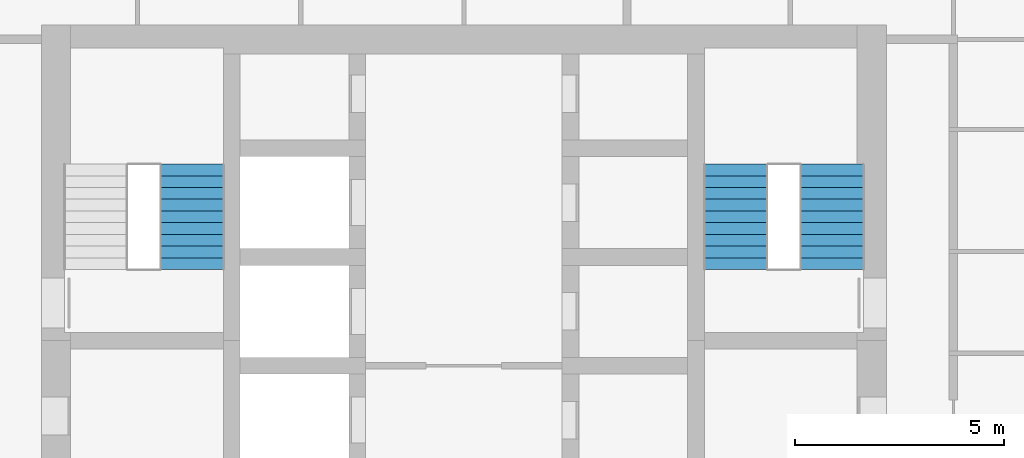
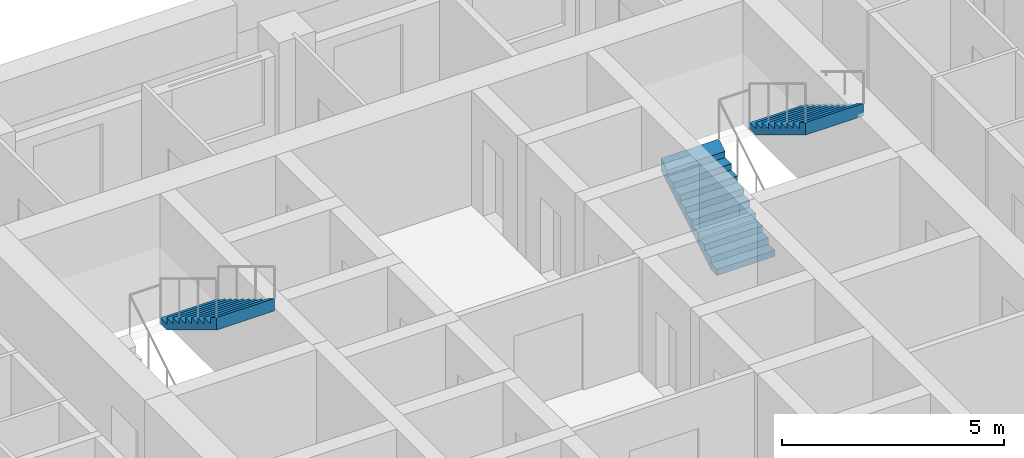
# One storey, part 15 of 17: 3 stair flights, 2 elements without a shape of their own.
"""IFC4 building model written with IfcOpenShell, lengths in metres."""

from ifc_helpers import new_model, si_unit, direction, frame, origin, place, context, subcontext, project, spatial, triangles, material, type_object, element, aggregate, save


model = new_model("IFC4")

# Units and contexts
model_context = context("Model", 3, precision=1e-05, world=origin(), true_north=direction((0.0, 1.0)))
body_context = subcontext(model_context, "Body", "Model", "MODEL_VIEW")
ifc_project = project(units=[si_unit("LENGTHUNIT", "METRE"), si_unit("AREAUNIT", "SQUARE_METRE"), si_unit("VOLUMEUNIT", "CUBIC_METRE"), si_unit("PLANEANGLEUNIT", "RADIAN"), si_unit("MASSUNIT", "GRAM", prefix="KILO")], contexts=[model_context])

# Site, building, storey
site_placement = place(None, origin())
site = spatial("IfcSite", under=ifc_project, at=site_placement, CompositionType="ELEMENT")
building_placement = place(site_placement, origin())
building = spatial("IfcBuilding", under=site, at=building_placement, Name="Ludao Terraces", CompositionType="ELEMENT")
storey_placement = place(building_placement, frame((0.0, 0.0, 88.60009765625)))
storey = spatial("IfcBuildingStorey", under=building, at=storey_placement, Name="L24", CompositionType="ELEMENT", Elevation=88.60009765625)

# Stair, stair flight
ifc_material = material(Name="Concrete C40", Category="concrete")
stair_type = type_object("IfcStairType", Name="INT Stair", PredefinedType="HALF_TURN_STAIR", material=ifc_material)
stair_1_placement = place(storey_placement, origin())
stair_1 = element("IfcStair", 1, at=stair_1_placement, inside=storey, type_object=stair_type, Name="EXIT STAIR 1", PredefinedType="HALF_TURN_STAIR")
stair_flight_type = type_object("IfcStairFlightType", Name="INT Stair flight", PredefinedType="STRAIGHT", material=ifc_material)
stair_flight_1_placement = place(storey_placement, frame((78.5, 81.52001953125, 1.699951171875), z_axis=(0.0, 0.0, 1.0), x_axis=(0.0, -1.0, 0.0)))
stair_flight_1 = element("IfcStairFlight", 2, at=stair_flight_1_placement, type_object=stair_flight_type, Name="ST1 flight 2", NumberOfRisers=10, NumberOfTreads=9, PredefinedType="STRAIGHT", RiserHeight=0.17, TreadLength=0.28, context=body_context, shape_type="Tessellation", body=[
    triangles([(0.0, -0.75, 0.0), (0.0, -0.5, 0.0), (0.0, -0.25, 0.0), (0.0, 0.0, 0.0), (0.0, 0.25, 0.0), (0.0, 0.5, 0.0), (0.0, 0.75, 0.0), (0.0, -0.75, 0.169921875), (0.0, -0.5, 0.169921875), (0.0, -0.25, 0.169921875), (0.0, 0.0, 0.169921875), (0.0, 0.25, 0.169921875), (0.0, 0.5, 0.169921875), (0.0, 0.75, 0.169921875), (0.280029296875, -0.75, 0.169921875), (0.280029296875, -0.5, 0.169921875), (0.280029296875, -0.25, 0.169921875), (0.280029296875, 0.0, 0.169921875), (0.280029296875, 0.25, 0.169921875), (0.280029296875, 0.5, 0.169921875), (0.280029296875, 0.75, 0.169921875), (0.280029296875, -0.75, 0.340087890625), (0.280029296875, -0.5, 0.340087890625), (0.280029296875, -0.25, 0.340087890625), (0.280029296875, 0.0, 0.340087890625), (0.280029296875, 0.25, 0.340087890625), (0.280029296875, 0.5, 0.340087890625), (0.280029296875, 0.75, 0.340087890625), (0.56005859375, -0.75, 0.340087890625), (0.56005859375, -0.5, 0.340087890625), (0.56005859375, -0.25, 0.340087890625), (0.56005859375, 0.0, 0.340087890625), (0.56005859375, 0.25, 0.340087890625), (0.56005859375, 0.5, 0.340087890625), (0.56005859375, 0.75, 0.340087890625), (0.56005859375, -0.75, 0.510009765625), (0.56005859375, -0.5, 0.510009765625), (0.56005859375, -0.25, 0.510009765625), (0.56005859375, 0.0, 0.510009765625), (0.56005859375, 0.25, 0.510009765625), (0.56005859375, 0.5, 0.510009765625), (0.56005859375, 0.75, 0.510009765625), (0.840087890625, -0.75, 0.510009765625), (0.840087890625, -0.5, 0.510009765625), (0.840087890625, -0.25, 0.510009765625), (0.840087890625, 0.0, 0.510009765625), (0.840087890625, 0.25, 0.510009765625), (0.840087890625, 0.5, 0.510009765625), (0.840087890625, 0.75, 0.510009765625), (0.840087890625, -0.75, 0.679931640625), (0.840087890625, -0.5, 0.679931640625), (0.840087890625, -0.25, 0.679931640625), (0.840087890625, 0.0, 0.679931640625), (0.840087890625, 0.25, 0.679931640625), (0.840087890625, 0.5, 0.679931640625), (0.840087890625, 0.75, 0.679931640625), (1.1201171875, -0.75, 0.679931640625), (1.1201171875, -0.5, 0.679931640625), (1.1201171875, -0.25, 0.679931640625), (1.1201171875, 0.0, 0.679931640625), (1.1201171875, 0.25, 0.679931640625), (1.1201171875, 0.5, 0.679931640625), (1.1201171875, 0.75, 0.679931640625), (1.1201171875, -0.75, 0.85009765625), (1.1201171875, -0.5, 0.85009765625), (1.1201171875, -0.25, 0.85009765625), (1.1201171875, 0.0, 0.85009765625), (1.1201171875, 0.25, 0.85009765625), (1.1201171875, 0.5, 0.85009765625), (1.1201171875, 0.75, 0.85009765625), (1.39990234375, -0.75, 0.85009765625), (1.39990234375, -0.5, 0.85009765625), (1.39990234375, -0.25, 0.85009765625), (1.39990234375, 0.0, 0.85009765625), (1.39990234375, 0.25, 0.85009765625), (1.39990234375, 0.5, 0.85009765625), (1.39990234375, 0.75, 0.85009765625), (1.39990234375, -0.75, 1.02001953125), (1.39990234375, -0.5, 1.02001953125), (1.39990234375, -0.25, 1.02001953125), (1.39990234375, 0.0, 1.02001953125), (1.39990234375, 0.25, 1.02001953125), (1.39990234375, 0.5, 1.02001953125), (1.39990234375, 0.75, 1.02001953125), (1.679931640625, -0.75, 1.02001953125), (1.679931640625, -0.5, 1.02001953125), (1.679931640625, -0.25, 1.02001953125), (1.679931640625, 0.0, 1.02001953125), (1.679931640625, 0.25, 1.02001953125), (1.679931640625, 0.5, 1.02001953125), (1.679931640625, 0.75, 1.02001953125), (1.679931640625, -0.75, 1.18994140625), (1.679931640625, -0.5, 1.18994140625), (1.679931640625, -0.25, 1.18994140625), (1.679931640625, 0.0, 1.18994140625), (1.679931640625, 0.25, 1.18994140625), (1.679931640625, 0.5, 1.18994140625), (1.679931640625, 0.75, 1.18994140625), (1.9599609375, -0.75, 1.18994140625), (1.9599609375, -0.5, 1.18994140625), (1.9599609375, -0.25, 1.18994140625), (1.9599609375, 0.0, 1.18994140625), (1.9599609375, 0.25, 1.18994140625), (1.9599609375, 0.5, 1.18994140625), (1.9599609375, 0.75, 1.18994140625), (1.9599609375, -0.75, 1.360107421875), (1.9599609375, -0.5, 1.360107421875), (1.9599609375, -0.25, 1.360107421875), (1.9599609375, 0.0, 1.360107421875), (1.9599609375, 0.25, 1.360107421875), (1.9599609375, 0.5, 1.360107421875), (1.9599609375, 0.75, 1.360107421875), (2.239990234375, -0.75, 1.360107421875), (2.239990234375, -0.5, 1.360107421875), (2.239990234375, -0.25, 1.360107421875), (2.239990234375, 0.0, 1.360107421875), (2.239990234375, 0.25, 1.360107421875), (2.239990234375, 0.5, 1.360107421875), (2.239990234375, 0.75, 1.360107421875), (2.239990234375, -0.75, 1.530029296875), (2.239990234375, -0.5, 1.530029296875), (2.239990234375, -0.25, 1.530029296875), (2.239990234375, 0.0, 1.530029296875), (2.239990234375, 0.25, 1.530029296875), (2.239990234375, 0.5, 1.530029296875), (2.239990234375, 0.75, 1.530029296875), (2.52001953125, -0.75, 1.699951171875), (2.52001953125, -0.5, 1.699951171875), (2.52001953125, -0.25, 1.699951171875), (2.52001953125, 0.0, 1.699951171875), (2.52001953125, 0.25, 1.699951171875), (2.52001953125, 0.5, 1.699951171875), (2.52001953125, 0.75, 1.699951171875), (2.52001953125, -0.75, 1.354736328125), (2.52001953125, -0.5, 1.354736328125), (2.52001953125, -0.25, 1.354736328125), (2.52001953125, 0.0, 1.354736328125), (2.52001953125, 0.25, 1.354736328125), (2.52001953125, 0.5, 1.354736328125), (2.52001953125, 0.75, 1.354736328125), (0.288818359375, -0.75, 0.0), (0.288818359375, -0.5, 0.0), (0.288818359375, -0.25, 0.0), (0.288818359375, 0.0, 0.0), (0.288818359375, 0.25, 0.0), (0.288818359375, 0.5, 0.0), (0.288818359375, 0.75, 0.0)], [[1, 141, 134], [7, 140, 147], [134, 127, 120], [140, 126, 133], [134, 120, 113], [140, 119, 126], [134, 113, 106], [140, 112, 119], [134, 106, 99], [140, 105, 112], [99, 92, 85], [105, 91, 98], [134, 99, 85], [140, 91, 105], [85, 78, 71], [91, 77, 84], [134, 85, 71], [140, 77, 91], [71, 64, 57], [77, 63, 70], [134, 71, 57], [140, 63, 77], [57, 50, 43], [63, 49, 56], [134, 57, 43], [140, 49, 63], [43, 36, 29], [49, 35, 42], [134, 43, 29], [140, 35, 49], [29, 22, 15], [35, 21, 28], [134, 29, 15], [140, 21, 35], [1, 134, 15], [7, 21, 140], [15, 8, 1], [21, 7, 14], [1, 9, 2], [1, 8, 9], [2, 10, 3], [2, 9, 10], [3, 11, 4], [3, 10, 11], [4, 12, 5], [4, 11, 12], [5, 13, 6], [5, 12, 13], [6, 14, 7], [6, 13, 14], [8, 16, 9], [8, 15, 16], [9, 17, 10], [9, 16, 17], [10, 18, 11], [10, 17, 18], [11, 19, 12], [11, 18, 19], [12, 20, 13], [12, 19, 20], [13, 21, 14], [13, 20, 21], [15, 23, 16], [15, 22, 23], [16, 24, 17], [16, 23, 24], [17, 25, 18], [17, 24, 25], [18, 26, 19], [18, 25, 26], [19, 27, 20], [19, 26, 27], [20, 28, 21], [20, 27, 28], [22, 30, 23], [22, 29, 30], [23, 31, 24], [23, 30, 31], [24, 32, 25], [24, 31, 32], [25, 33, 26], [25, 32, 33], [26, 34, 27], [26, 33, 34], [27, 35, 28], [27, 34, 35], [29, 37, 30], [29, 36, 37], [30, 38, 31], [30, 37, 38], [31, 39, 32], [31, 38, 39], [32, 40, 33], [32, 39, 40], [33, 41, 34], [33, 40, 41], [34, 42, 35], [34, 41, 42], [36, 44, 37], [36, 43, 44], [37, 45, 38], [37, 44, 45], [38, 46, 39], [38, 45, 46], [39, 47, 40], [39, 46, 47], [40, 48, 41], [40, 47, 48], [41, 49, 42], [41, 48, 49], [43, 51, 44], [43, 50, 51], [44, 52, 45], [44, 51, 52], [45, 53, 46], [45, 52, 53], [46, 54, 47], [46, 53, 54], [47, 55, 48], [47, 54, 55], [48, 56, 49], [48, 55, 56], [50, 58, 51], [50, 57, 58], [51, 59, 52], [51, 58, 59], [52, 60, 53], [52, 59, 60], [53, 61, 54], [53, 60, 61], [54, 62, 55], [54, 61, 62], [55, 63, 56], [55, 62, 63], [57, 65, 58], [57, 64, 65], [58, 66, 59], [58, 65, 66], [59, 67, 60], [59, 66, 67], [60, 68, 61], [60, 67, 68], [61, 69, 62], [61, 68, 69], [62, 70, 63], [62, 69, 70], [64, 72, 65], [64, 71, 72], [65, 73, 66], [65, 72, 73], [66, 74, 67], [66, 73, 74], [67, 75, 68], [67, 74, 75], [68, 76, 69], [68, 75, 76], [69, 77, 70], [69, 76, 77], [71, 79, 72], [71, 78, 79], [72, 80, 73], [72, 79, 80], [73, 81, 74], [73, 80, 81], [74, 82, 75], [74, 81, 82], [75, 83, 76], [75, 82, 83], [76, 84, 77], [76, 83, 84], [78, 86, 79], [78, 85, 86], [79, 87, 80], [79, 86, 87], [80, 88, 81], [80, 87, 88], [81, 89, 82], [81, 88, 89], [82, 90, 83], [82, 89, 90], [83, 91, 84], [83, 90, 91], [85, 93, 86], [85, 92, 93], [86, 94, 87], [86, 93, 94], [87, 95, 88], [87, 94, 95], [88, 96, 89], [88, 95, 96], [89, 97, 90], [89, 96, 97], [90, 98, 91], [90, 97, 98], [92, 100, 93], [92, 99, 100], [93, 101, 94], [93, 100, 101], [94, 102, 95], [94, 101, 102], [95, 103, 96], [95, 102, 103], [96, 104, 97], [96, 103, 104], [97, 105, 98], [97, 104, 105], [99, 107, 100], [99, 106, 107], [100, 108, 101], [100, 107, 108], [101, 109, 102], [101, 108, 109], [102, 110, 103], [102, 109, 110], [103, 111, 104], [103, 110, 111], [104, 112, 105], [104, 111, 112], [106, 114, 107], [106, 113, 114], [107, 115, 108], [107, 114, 115], [108, 116, 109], [108, 115, 116], [109, 117, 110], [109, 116, 117], [110, 118, 111], [110, 117, 118], [111, 119, 112], [111, 118, 119], [113, 121, 114], [113, 120, 121], [114, 122, 115], [114, 121, 122], [115, 123, 116], [115, 122, 123], [116, 124, 117], [116, 123, 124], [117, 125, 118], [117, 124, 125], [118, 126, 119], [118, 125, 126], [120, 128, 121], [120, 127, 128], [121, 129, 122], [121, 128, 129], [122, 130, 123], [122, 129, 130], [123, 131, 124], [123, 130, 131], [124, 132, 125], [124, 131, 132], [125, 133, 126], [125, 132, 133], [127, 135, 128], [127, 134, 135], [128, 136, 129], [128, 135, 136], [129, 137, 130], [129, 136, 137], [130, 138, 131], [130, 137, 138], [131, 139, 132], [131, 138, 139], [132, 140, 133], [132, 139, 140], [134, 142, 135], [134, 141, 142], [135, 143, 136], [135, 142, 143], [136, 144, 137], [136, 143, 144], [137, 145, 138], [137, 144, 145], [138, 146, 139], [138, 145, 146], [139, 147, 140], [139, 146, 147], [141, 2, 142], [141, 1, 2], [142, 3, 143], [142, 2, 3], [143, 4, 144], [143, 3, 4], [144, 5, 145], [144, 4, 5], [145, 6, 146], [145, 5, 6], [146, 7, 147], [146, 6, 7]], closed=True),
])
aggregate(stair_1, [stair_flight_1])

# Stair, stair flights
stair_2_placement = place(storey_placement, origin())
stair_2 = element("IfcStair", 3, at=stair_2_placement, inside=storey, type_object=stair_type, Name="EXIT STAIR 2", PredefinedType="HALF_TURN_STAIR")
stair_flight_2_placement = place(storey_placement, frame((91.5, 79.0, 0.0), z_axis=(0.0, 0.0, 1.0), x_axis=(0.0, 1.0, 0.0)))
stair_flight_2 = element("IfcStairFlight", 4, at=stair_flight_2_placement, type_object=stair_flight_type, Name="ST2 flight 1", NumberOfRisers=10, NumberOfTreads=9, PredefinedType="STRAIGHT", RiserHeight=0.17, TreadLength=0.28, context=body_context, shape_type="Tessellation", body=[
    triangles([(0.0, -0.75, 0.0), (0.0, -0.5, 0.0), (0.0, -0.25, 0.0), (0.0, 0.0, 0.0), (0.0, 0.25, 0.0), (0.0, 0.5, 0.0), (0.0, 0.75, 0.0), (0.0, -0.75, 0.169921875), (0.0, -0.5, 0.169921875), (0.0, -0.25, 0.169921875), (0.0, 0.0, 0.169921875), (0.0, 0.25, 0.169921875), (0.0, 0.5, 0.169921875), (0.0, 0.75, 0.169921875), (0.280029296875, -0.75, 0.169921875), (0.280029296875, -0.5, 0.169921875), (0.280029296875, -0.25, 0.169921875), (0.280029296875, 0.0, 0.169921875), (0.280029296875, 0.25, 0.169921875), (0.280029296875, 0.5, 0.169921875), (0.280029296875, 0.75, 0.169921875), (0.280029296875, -0.75, 0.340087890625), (0.280029296875, -0.5, 0.340087890625), (0.280029296875, -0.25, 0.340087890625), (0.280029296875, 0.0, 0.340087890625), (0.280029296875, 0.25, 0.340087890625), (0.280029296875, 0.5, 0.340087890625), (0.280029296875, 0.75, 0.340087890625), (0.56005859375, -0.75, 0.340087890625), (0.56005859375, -0.5, 0.340087890625), (0.56005859375, -0.25, 0.340087890625), (0.56005859375, 0.0, 0.340087890625), (0.56005859375, 0.25, 0.340087890625), (0.56005859375, 0.5, 0.340087890625), (0.56005859375, 0.75, 0.340087890625), (0.56005859375, -0.75, 0.510009765625), (0.56005859375, -0.5, 0.510009765625), (0.56005859375, -0.25, 0.510009765625), (0.56005859375, 0.0, 0.510009765625), (0.56005859375, 0.25, 0.510009765625), (0.56005859375, 0.5, 0.510009765625), (0.56005859375, 0.75, 0.510009765625), (0.840087890625, -0.75, 0.510009765625), (0.840087890625, -0.5, 0.510009765625), (0.840087890625, -0.25, 0.510009765625), (0.840087890625, 0.0, 0.510009765625), (0.840087890625, 0.25, 0.510009765625), (0.840087890625, 0.5, 0.510009765625), (0.840087890625, 0.75, 0.510009765625), (0.840087890625, -0.75, 0.679931640625), (0.840087890625, -0.5, 0.679931640625), (0.840087890625, -0.25, 0.679931640625), (0.840087890625, 0.0, 0.679931640625), (0.840087890625, 0.25, 0.679931640625), (0.840087890625, 0.5, 0.679931640625), (0.840087890625, 0.75, 0.679931640625), (1.1201171875, -0.75, 0.679931640625), (1.1201171875, -0.5, 0.679931640625), (1.1201171875, -0.25, 0.679931640625), (1.1201171875, 0.0, 0.679931640625), (1.1201171875, 0.25, 0.679931640625), (1.1201171875, 0.5, 0.679931640625), (1.1201171875, 0.75, 0.679931640625), (1.1201171875, -0.75, 0.85009765625), (1.1201171875, -0.5, 0.85009765625), (1.1201171875, -0.25, 0.85009765625), (1.1201171875, 0.0, 0.85009765625), (1.1201171875, 0.25, 0.85009765625), (1.1201171875, 0.5, 0.85009765625), (1.1201171875, 0.75, 0.85009765625), (1.39990234375, -0.75, 0.85009765625), (1.39990234375, -0.5, 0.85009765625), (1.39990234375, -0.25, 0.85009765625), (1.39990234375, 0.0, 0.85009765625), (1.39990234375, 0.25, 0.85009765625), (1.39990234375, 0.5, 0.85009765625), (1.39990234375, 0.75, 0.85009765625), (1.39990234375, -0.75, 1.02001953125), (1.39990234375, -0.5, 1.02001953125), (1.39990234375, -0.25, 1.02001953125), (1.39990234375, 0.0, 1.02001953125), (1.39990234375, 0.25, 1.02001953125), (1.39990234375, 0.5, 1.02001953125), (1.39990234375, 0.75, 1.02001953125), (1.679931640625, -0.75, 1.02001953125), (1.679931640625, -0.5, 1.02001953125), (1.679931640625, -0.25, 1.02001953125), (1.679931640625, 0.0, 1.02001953125), (1.679931640625, 0.25, 1.02001953125), (1.679931640625, 0.5, 1.02001953125), (1.679931640625, 0.75, 1.02001953125), (1.679931640625, -0.75, 1.18994140625), (1.679931640625, -0.5, 1.18994140625), (1.679931640625, -0.25, 1.18994140625), (1.679931640625, 0.0, 1.18994140625), (1.679931640625, 0.25, 1.18994140625), (1.679931640625, 0.5, 1.18994140625), (1.679931640625, 0.75, 1.18994140625), (1.9599609375, -0.75, 1.18994140625), (1.9599609375, -0.5, 1.18994140625), (1.9599609375, -0.25, 1.18994140625), (1.9599609375, 0.0, 1.18994140625), (1.9599609375, 0.25, 1.18994140625), (1.9599609375, 0.5, 1.18994140625), (1.9599609375, 0.75, 1.18994140625), (1.9599609375, -0.75, 1.360107421875), (1.9599609375, -0.5, 1.360107421875), (1.9599609375, -0.25, 1.360107421875), (1.9599609375, 0.0, 1.360107421875), (1.9599609375, 0.25, 1.360107421875), (1.9599609375, 0.5, 1.360107421875), (1.9599609375, 0.75, 1.360107421875), (2.239990234375, -0.75, 1.360107421875), (2.239990234375, -0.5, 1.360107421875), (2.239990234375, -0.25, 1.360107421875), (2.239990234375, 0.0, 1.360107421875), (2.239990234375, 0.25, 1.360107421875), (2.239990234375, 0.5, 1.360107421875), (2.239990234375, 0.75, 1.360107421875), (2.239990234375, -0.75, 1.530029296875), (2.239990234375, -0.5, 1.530029296875), (2.239990234375, -0.25, 1.530029296875), (2.239990234375, 0.0, 1.530029296875), (2.239990234375, 0.25, 1.530029296875), (2.239990234375, 0.5, 1.530029296875), (2.239990234375, 0.75, 1.530029296875), (2.52001953125, -0.75, 1.699951171875), (2.52001953125, -0.5, 1.699951171875), (2.52001953125, -0.25, 1.699951171875), (2.52001953125, 0.0, 1.699951171875), (2.52001953125, 0.25, 1.699951171875), (2.52001953125, 0.5, 1.699951171875), (2.52001953125, 0.75, 1.699951171875), (2.52001953125, -0.75, 1.354736328125), (2.52001953125, -0.5, 1.354736328125), (2.52001953125, -0.25, 1.354736328125), (2.52001953125, 0.0, 1.354736328125), (2.52001953125, 0.25, 1.354736328125), (2.52001953125, 0.5, 1.354736328125), (2.52001953125, 0.75, 1.354736328125), (0.288818359375, -0.75, 0.0), (0.288818359375, -0.5, 0.0), (0.288818359375, -0.25, 0.0), (0.288818359375, 0.0, 0.0), (0.288818359375, 0.25, 0.0), (0.288818359375, 0.5, 0.0), (0.288818359375, 0.75, 0.0)], [[1, 141, 134], [7, 140, 147], [134, 127, 120], [140, 126, 133], [134, 120, 113], [140, 119, 126], [134, 113, 106], [140, 112, 119], [134, 106, 99], [140, 105, 112], [99, 92, 85], [105, 91, 98], [134, 99, 85], [140, 91, 105], [85, 78, 71], [91, 77, 84], [134, 85, 71], [140, 77, 91], [71, 64, 57], [77, 63, 70], [134, 71, 57], [140, 63, 77], [57, 50, 43], [63, 49, 56], [134, 57, 43], [140, 49, 63], [43, 36, 29], [49, 35, 42], [134, 43, 29], [140, 35, 49], [29, 22, 15], [35, 21, 28], [134, 29, 15], [140, 21, 35], [1, 134, 15], [7, 21, 140], [15, 8, 1], [21, 7, 14], [1, 9, 2], [1, 8, 9], [2, 10, 3], [2, 9, 10], [3, 11, 4], [3, 10, 11], [4, 12, 5], [4, 11, 12], [5, 13, 6], [5, 12, 13], [6, 14, 7], [6, 13, 14], [8, 16, 9], [8, 15, 16], [9, 17, 10], [9, 16, 17], [10, 18, 11], [10, 17, 18], [11, 19, 12], [11, 18, 19], [12, 20, 13], [12, 19, 20], [13, 21, 14], [13, 20, 21], [15, 23, 16], [15, 22, 23], [16, 24, 17], [16, 23, 24], [17, 25, 18], [17, 24, 25], [18, 26, 19], [18, 25, 26], [19, 27, 20], [19, 26, 27], [20, 28, 21], [20, 27, 28], [22, 30, 23], [22, 29, 30], [23, 31, 24], [23, 30, 31], [24, 32, 25], [24, 31, 32], [25, 33, 26], [25, 32, 33], [26, 34, 27], [26, 33, 34], [27, 35, 28], [27, 34, 35], [29, 37, 30], [29, 36, 37], [30, 38, 31], [30, 37, 38], [31, 39, 32], [31, 38, 39], [32, 40, 33], [32, 39, 40], [33, 41, 34], [33, 40, 41], [34, 42, 35], [34, 41, 42], [36, 44, 37], [36, 43, 44], [37, 45, 38], [37, 44, 45], [38, 46, 39], [38, 45, 46], [39, 47, 40], [39, 46, 47], [40, 48, 41], [40, 47, 48], [41, 49, 42], [41, 48, 49], [43, 51, 44], [43, 50, 51], [44, 52, 45], [44, 51, 52], [45, 53, 46], [45, 52, 53], [46, 54, 47], [46, 53, 54], [47, 55, 48], [47, 54, 55], [48, 56, 49], [48, 55, 56], [50, 58, 51], [50, 57, 58], [51, 59, 52], [51, 58, 59], [52, 60, 53], [52, 59, 60], [53, 61, 54], [53, 60, 61], [54, 62, 55], [54, 61, 62], [55, 63, 56], [55, 62, 63], [57, 65, 58], [57, 64, 65], [58, 66, 59], [58, 65, 66], [59, 67, 60], [59, 66, 67], [60, 68, 61], [60, 67, 68], [61, 69, 62], [61, 68, 69], [62, 70, 63], [62, 69, 70], [64, 72, 65], [64, 71, 72], [65, 73, 66], [65, 72, 73], [66, 74, 67], [66, 73, 74], [67, 75, 68], [67, 74, 75], [68, 76, 69], [68, 75, 76], [69, 77, 70], [69, 76, 77], [71, 79, 72], [71, 78, 79], [72, 80, 73], [72, 79, 80], [73, 81, 74], [73, 80, 81], [74, 82, 75], [74, 81, 82], [75, 83, 76], [75, 82, 83], [76, 84, 77], [76, 83, 84], [78, 86, 79], [78, 85, 86], [79, 87, 80], [79, 86, 87], [80, 88, 81], [80, 87, 88], [81, 89, 82], [81, 88, 89], [82, 90, 83], [82, 89, 90], [83, 91, 84], [83, 90, 91], [85, 93, 86], [85, 92, 93], [86, 94, 87], [86, 93, 94], [87, 95, 88], [87, 94, 95], [88, 96, 89], [88, 95, 96], [89, 97, 90], [89, 96, 97], [90, 98, 91], [90, 97, 98], [92, 100, 93], [92, 99, 100], [93, 101, 94], [93, 100, 101], [94, 102, 95], [94, 101, 102], [95, 103, 96], [95, 102, 103], [96, 104, 97], [96, 103, 104], [97, 105, 98], [97, 104, 105], [99, 107, 100], [99, 106, 107], [100, 108, 101], [100, 107, 108], [101, 109, 102], [101, 108, 109], [102, 110, 103], [102, 109, 110], [103, 111, 104], [103, 110, 111], [104, 112, 105], [104, 111, 112], [106, 114, 107], [106, 113, 114], [107, 115, 108], [107, 114, 115], [108, 116, 109], [108, 115, 116], [109, 117, 110], [109, 116, 117], [110, 118, 111], [110, 117, 118], [111, 119, 112], [111, 118, 119], [113, 121, 114], [113, 120, 121], [114, 122, 115], [114, 121, 122], [115, 123, 116], [115, 122, 123], [116, 124, 117], [116, 123, 124], [117, 125, 118], [117, 124, 125], [118, 126, 119], [118, 125, 126], [120, 128, 121], [120, 127, 128], [121, 129, 122], [121, 128, 129], [122, 130, 123], [122, 129, 130], [123, 131, 124], [123, 130, 131], [124, 132, 125], [124, 131, 132], [125, 133, 126], [125, 132, 133], [127, 135, 128], [127, 134, 135], [128, 136, 129], [128, 135, 136], [129, 137, 130], [129, 136, 137], [130, 138, 131], [130, 137, 138], [131, 139, 132], [131, 138, 139], [132, 140, 133], [132, 139, 140], [134, 142, 135], [134, 141, 142], [135, 143, 136], [135, 142, 143], [136, 144, 137], [136, 143, 144], [137, 145, 138], [137, 144, 145], [138, 146, 139], [138, 145, 146], [139, 147, 140], [139, 146, 147], [141, 2, 142], [141, 1, 2], [142, 3, 143], [142, 2, 3], [143, 4, 144], [143, 3, 4], [144, 5, 145], [144, 4, 5], [145, 6, 146], [145, 5, 6], [146, 7, 147], [146, 6, 7]], closed=True),
])
stair_flight_3_placement = place(storey_placement, frame((93.800048828125, 81.52001953125, 1.699951171875), z_axis=(0.0, 0.0, 1.0), x_axis=(0.0, -1.0, 0.0)))
stair_flight_3 = element("IfcStairFlight", 5, at=stair_flight_3_placement, type_object=stair_flight_type, Name="ST2 flight 2", NumberOfRisers=10, NumberOfTreads=9, PredefinedType="STRAIGHT", RiserHeight=0.17, TreadLength=0.28, context=body_context, shape_type="Tessellation", body=[
    triangles([(0.0, -0.75, 0.0), (0.0, -0.5, 0.0), (0.0, -0.25, 0.0), (0.0, 0.0, 0.0), (0.0, 0.25, 0.0), (0.0, 0.5, 0.0), (0.0, 0.75, 0.0), (0.0, -0.75, 0.169921875), (0.0, -0.5, 0.169921875), (0.0, -0.25, 0.169921875), (0.0, 0.0, 0.169921875), (0.0, 0.25, 0.169921875), (0.0, 0.5, 0.169921875), (0.0, 0.75, 0.169921875), (0.280029296875, -0.75, 0.169921875), (0.280029296875, -0.5, 0.169921875), (0.280029296875, -0.25, 0.169921875), (0.280029296875, 0.0, 0.169921875), (0.280029296875, 0.25, 0.169921875), (0.280029296875, 0.5, 0.169921875), (0.280029296875, 0.75, 0.169921875), (0.280029296875, -0.75, 0.340087890625), (0.280029296875, -0.5, 0.340087890625), (0.280029296875, -0.25, 0.340087890625), (0.280029296875, 0.0, 0.340087890625), (0.280029296875, 0.25, 0.340087890625), (0.280029296875, 0.5, 0.340087890625), (0.280029296875, 0.75, 0.340087890625), (0.56005859375, -0.75, 0.340087890625), (0.56005859375, -0.5, 0.340087890625), (0.56005859375, -0.25, 0.340087890625), (0.56005859375, 0.0, 0.340087890625), (0.56005859375, 0.25, 0.340087890625), (0.56005859375, 0.5, 0.340087890625), (0.56005859375, 0.75, 0.340087890625), (0.56005859375, -0.75, 0.510009765625), (0.56005859375, -0.5, 0.510009765625), (0.56005859375, -0.25, 0.510009765625), (0.56005859375, 0.0, 0.510009765625), (0.56005859375, 0.25, 0.510009765625), (0.56005859375, 0.5, 0.510009765625), (0.56005859375, 0.75, 0.510009765625), (0.840087890625, -0.75, 0.510009765625), (0.840087890625, -0.5, 0.510009765625), (0.840087890625, -0.25, 0.510009765625), (0.840087890625, 0.0, 0.510009765625), (0.840087890625, 0.25, 0.510009765625), (0.840087890625, 0.5, 0.510009765625), (0.840087890625, 0.75, 0.510009765625), (0.840087890625, -0.75, 0.679931640625), (0.840087890625, -0.5, 0.679931640625), (0.840087890625, -0.25, 0.679931640625), (0.840087890625, 0.0, 0.679931640625), (0.840087890625, 0.25, 0.679931640625), (0.840087890625, 0.5, 0.679931640625), (0.840087890625, 0.75, 0.679931640625), (1.1201171875, -0.75, 0.679931640625), (1.1201171875, -0.5, 0.679931640625), (1.1201171875, -0.25, 0.679931640625), (1.1201171875, 0.0, 0.679931640625), (1.1201171875, 0.25, 0.679931640625), (1.1201171875, 0.5, 0.679931640625), (1.1201171875, 0.75, 0.679931640625), (1.1201171875, -0.75, 0.85009765625), (1.1201171875, -0.5, 0.85009765625), (1.1201171875, -0.25, 0.85009765625), (1.1201171875, 0.0, 0.85009765625), (1.1201171875, 0.25, 0.85009765625), (1.1201171875, 0.5, 0.85009765625), (1.1201171875, 0.75, 0.85009765625), (1.39990234375, -0.75, 0.85009765625), (1.39990234375, -0.5, 0.85009765625), (1.39990234375, -0.25, 0.85009765625), (1.39990234375, 0.0, 0.85009765625), (1.39990234375, 0.25, 0.85009765625), (1.39990234375, 0.5, 0.85009765625), (1.39990234375, 0.75, 0.85009765625), (1.39990234375, -0.75, 1.02001953125), (1.39990234375, -0.5, 1.02001953125), (1.39990234375, -0.25, 1.02001953125), (1.39990234375, 0.0, 1.02001953125), (1.39990234375, 0.25, 1.02001953125), (1.39990234375, 0.5, 1.02001953125), (1.39990234375, 0.75, 1.02001953125), (1.679931640625, -0.75, 1.02001953125), (1.679931640625, -0.5, 1.02001953125), (1.679931640625, -0.25, 1.02001953125), (1.679931640625, 0.0, 1.02001953125), (1.679931640625, 0.25, 1.02001953125), (1.679931640625, 0.5, 1.02001953125), (1.679931640625, 0.75, 1.02001953125), (1.679931640625, -0.75, 1.18994140625), (1.679931640625, -0.5, 1.18994140625), (1.679931640625, -0.25, 1.18994140625), (1.679931640625, 0.0, 1.18994140625), (1.679931640625, 0.25, 1.18994140625), (1.679931640625, 0.5, 1.18994140625), (1.679931640625, 0.75, 1.18994140625), (1.9599609375, -0.75, 1.18994140625), (1.9599609375, -0.5, 1.18994140625), (1.9599609375, -0.25, 1.18994140625), (1.9599609375, 0.0, 1.18994140625), (1.9599609375, 0.25, 1.18994140625), (1.9599609375, 0.5, 1.18994140625), (1.9599609375, 0.75, 1.18994140625), (1.9599609375, -0.75, 1.360107421875), (1.9599609375, -0.5, 1.360107421875), (1.9599609375, -0.25, 1.360107421875), (1.9599609375, 0.0, 1.360107421875), (1.9599609375, 0.25, 1.360107421875), (1.9599609375, 0.5, 1.360107421875), (1.9599609375, 0.75, 1.360107421875), (2.239990234375, -0.75, 1.360107421875), (2.239990234375, -0.5, 1.360107421875), (2.239990234375, -0.25, 1.360107421875), (2.239990234375, 0.0, 1.360107421875), (2.239990234375, 0.25, 1.360107421875), (2.239990234375, 0.5, 1.360107421875), (2.239990234375, 0.75, 1.360107421875), (2.239990234375, -0.75, 1.530029296875), (2.239990234375, -0.5, 1.530029296875), (2.239990234375, -0.25, 1.530029296875), (2.239990234375, 0.0, 1.530029296875), (2.239990234375, 0.25, 1.530029296875), (2.239990234375, 0.5, 1.530029296875), (2.239990234375, 0.75, 1.530029296875), (2.52001953125, -0.75, 1.699951171875), (2.52001953125, -0.5, 1.699951171875), (2.52001953125, -0.25, 1.699951171875), (2.52001953125, 0.0, 1.699951171875), (2.52001953125, 0.25, 1.699951171875), (2.52001953125, 0.5, 1.699951171875), (2.52001953125, 0.75, 1.699951171875), (2.52001953125, -0.75, 1.354736328125), (2.52001953125, -0.5, 1.354736328125), (2.52001953125, -0.25, 1.354736328125), (2.52001953125, 0.0, 1.354736328125), (2.52001953125, 0.25, 1.354736328125), (2.52001953125, 0.5, 1.354736328125), (2.52001953125, 0.75, 1.354736328125), (0.288818359375, -0.75, 0.0), (0.288818359375, -0.5, 0.0), (0.288818359375, -0.25, 0.0), (0.288818359375, 0.0, 0.0), (0.288818359375, 0.25, 0.0), (0.288818359375, 0.5, 0.0), (0.288818359375, 0.75, 0.0)], [[1, 141, 134], [7, 140, 147], [134, 127, 120], [140, 126, 133], [134, 120, 113], [140, 119, 126], [134, 113, 106], [140, 112, 119], [134, 106, 99], [140, 105, 112], [99, 92, 85], [105, 91, 98], [134, 99, 85], [140, 91, 105], [85, 78, 71], [91, 77, 84], [134, 85, 71], [140, 77, 91], [71, 64, 57], [77, 63, 70], [134, 71, 57], [140, 63, 77], [57, 50, 43], [63, 49, 56], [134, 57, 43], [140, 49, 63], [43, 36, 29], [49, 35, 42], [134, 43, 29], [140, 35, 49], [29, 22, 15], [35, 21, 28], [134, 29, 15], [140, 21, 35], [1, 134, 15], [7, 21, 140], [15, 8, 1], [21, 7, 14], [1, 9, 2], [1, 8, 9], [2, 10, 3], [2, 9, 10], [3, 11, 4], [3, 10, 11], [4, 12, 5], [4, 11, 12], [5, 13, 6], [5, 12, 13], [6, 14, 7], [6, 13, 14], [8, 16, 9], [8, 15, 16], [9, 17, 10], [9, 16, 17], [10, 18, 11], [10, 17, 18], [11, 19, 12], [11, 18, 19], [12, 20, 13], [12, 19, 20], [13, 21, 14], [13, 20, 21], [15, 23, 16], [15, 22, 23], [16, 24, 17], [16, 23, 24], [17, 25, 18], [17, 24, 25], [18, 26, 19], [18, 25, 26], [19, 27, 20], [19, 26, 27], [20, 28, 21], [20, 27, 28], [22, 30, 23], [22, 29, 30], [23, 31, 24], [23, 30, 31], [24, 32, 25], [24, 31, 32], [25, 33, 26], [25, 32, 33], [26, 34, 27], [26, 33, 34], [27, 35, 28], [27, 34, 35], [29, 37, 30], [29, 36, 37], [30, 38, 31], [30, 37, 38], [31, 39, 32], [31, 38, 39], [32, 40, 33], [32, 39, 40], [33, 41, 34], [33, 40, 41], [34, 42, 35], [34, 41, 42], [36, 44, 37], [36, 43, 44], [37, 45, 38], [37, 44, 45], [38, 46, 39], [38, 45, 46], [39, 47, 40], [39, 46, 47], [40, 48, 41], [40, 47, 48], [41, 49, 42], [41, 48, 49], [43, 51, 44], [43, 50, 51], [44, 52, 45], [44, 51, 52], [45, 53, 46], [45, 52, 53], [46, 54, 47], [46, 53, 54], [47, 55, 48], [47, 54, 55], [48, 56, 49], [48, 55, 56], [50, 58, 51], [50, 57, 58], [51, 59, 52], [51, 58, 59], [52, 60, 53], [52, 59, 60], [53, 61, 54], [53, 60, 61], [54, 62, 55], [54, 61, 62], [55, 63, 56], [55, 62, 63], [57, 65, 58], [57, 64, 65], [58, 66, 59], [58, 65, 66], [59, 67, 60], [59, 66, 67], [60, 68, 61], [60, 67, 68], [61, 69, 62], [61, 68, 69], [62, 70, 63], [62, 69, 70], [64, 72, 65], [64, 71, 72], [65, 73, 66], [65, 72, 73], [66, 74, 67], [66, 73, 74], [67, 75, 68], [67, 74, 75], [68, 76, 69], [68, 75, 76], [69, 77, 70], [69, 76, 77], [71, 79, 72], [71, 78, 79], [72, 80, 73], [72, 79, 80], [73, 81, 74], [73, 80, 81], [74, 82, 75], [74, 81, 82], [75, 83, 76], [75, 82, 83], [76, 84, 77], [76, 83, 84], [78, 86, 79], [78, 85, 86], [79, 87, 80], [79, 86, 87], [80, 88, 81], [80, 87, 88], [81, 89, 82], [81, 88, 89], [82, 90, 83], [82, 89, 90], [83, 91, 84], [83, 90, 91], [85, 93, 86], [85, 92, 93], [86, 94, 87], [86, 93, 94], [87, 95, 88], [87, 94, 95], [88, 96, 89], [88, 95, 96], [89, 97, 90], [89, 96, 97], [90, 98, 91], [90, 97, 98], [92, 100, 93], [92, 99, 100], [93, 101, 94], [93, 100, 101], [94, 102, 95], [94, 101, 102], [95, 103, 96], [95, 102, 103], [96, 104, 97], [96, 103, 104], [97, 105, 98], [97, 104, 105], [99, 107, 100], [99, 106, 107], [100, 108, 101], [100, 107, 108], [101, 109, 102], [101, 108, 109], [102, 110, 103], [102, 109, 110], [103, 111, 104], [103, 110, 111], [104, 112, 105], [104, 111, 112], [106, 114, 107], [106, 113, 114], [107, 115, 108], [107, 114, 115], [108, 116, 109], [108, 115, 116], [109, 117, 110], [109, 116, 117], [110, 118, 111], [110, 117, 118], [111, 119, 112], [111, 118, 119], [113, 121, 114], [113, 120, 121], [114, 122, 115], [114, 121, 122], [115, 123, 116], [115, 122, 123], [116, 124, 117], [116, 123, 124], [117, 125, 118], [117, 124, 125], [118, 126, 119], [118, 125, 126], [120, 128, 121], [120, 127, 128], [121, 129, 122], [121, 128, 129], [122, 130, 123], [122, 129, 130], [123, 131, 124], [123, 130, 131], [124, 132, 125], [124, 131, 132], [125, 133, 126], [125, 132, 133], [127, 135, 128], [127, 134, 135], [128, 136, 129], [128, 135, 136], [129, 137, 130], [129, 136, 137], [130, 138, 131], [130, 137, 138], [131, 139, 132], [131, 138, 139], [132, 140, 133], [132, 139, 140], [134, 142, 135], [134, 141, 142], [135, 143, 136], [135, 142, 143], [136, 144, 137], [136, 143, 144], [137, 145, 138], [137, 144, 145], [138, 146, 139], [138, 145, 146], [139, 147, 140], [139, 146, 147], [141, 2, 142], [141, 1, 2], [142, 3, 143], [142, 2, 3], [143, 4, 144], [143, 3, 4], [144, 5, 145], [144, 4, 5], [145, 6, 146], [145, 5, 6], [146, 7, 147], [146, 6, 7]], closed=True),
])
aggregate(stair_2, [stair_flight_2, stair_flight_3])

save(model, "model.ifc")
